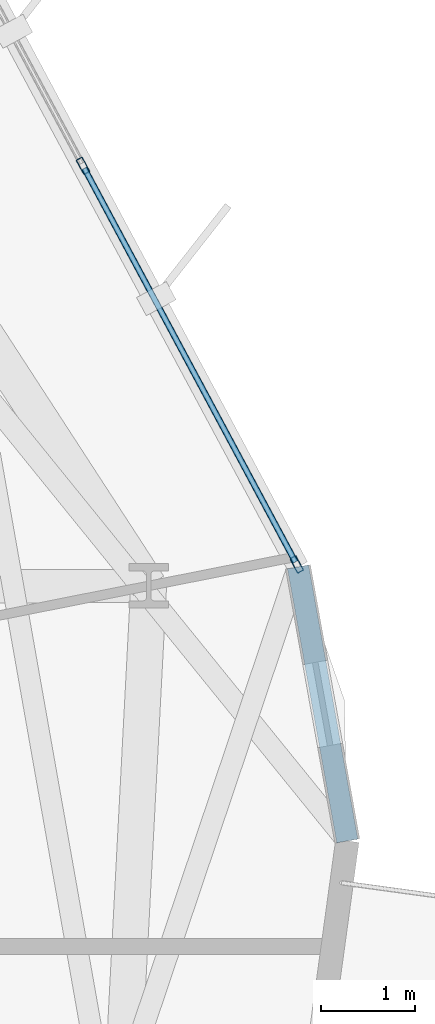
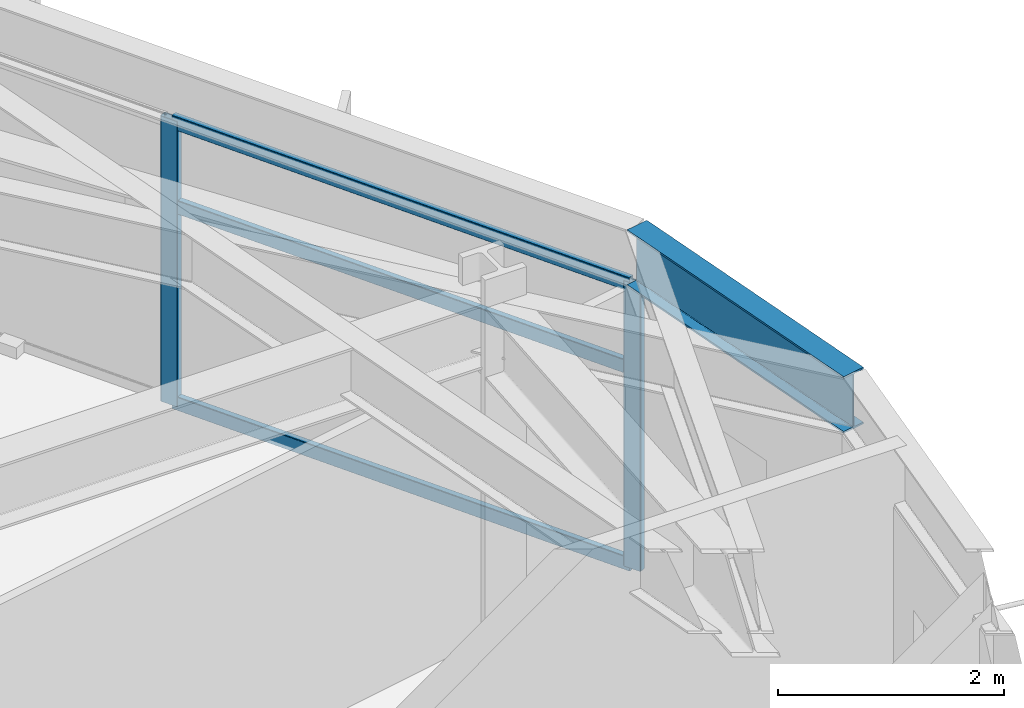
# One storey, part 11 of 22: 5 members, 1 beam, 1 element without a shape of its own.
"""IFC4 building model written with IfcOpenShell, lengths in metres."""

from ifc_helpers import new_model, si_unit, direction, frame, origin, origin_2d, place, context, subcontext, project, spatial, hollow_rectangle, i_section, extrude, material, layer, layer_set, material_profile, profile_set, type_object, element, aggregate, save


model = new_model("IFC4")

# Units and contexts
model_context = context("Model", 3, precision=1e-05, world=origin(), true_north=direction((0.0, 1.0)))
body_context = subcontext(model_context, "Body", "Model", "MODEL_VIEW")
ifc_project = project(units=[si_unit("LENGTHUNIT", "METRE"), si_unit("AREAUNIT", "SQUARE_METRE"), si_unit("VOLUMEUNIT", "CUBIC_METRE"), si_unit("PLANEANGLEUNIT", "RADIAN"), si_unit("MASSUNIT", "GRAM", prefix="KILO")], contexts=[model_context])

# Site, building, storey
site_placement = place(None, origin())
site = spatial("IfcSite", under=ifc_project, at=site_placement, CompositionType="ELEMENT")
building_placement = place(site_placement, origin())
building = spatial("IfcBuilding", under=site, at=building_placement, Name="Soratama Intermodal Tower", CompositionType="ELEMENT")
storey_placement = place(building_placement, frame((0.0, 0.0, 66.60009765625)))
storey = spatial("IfcBuildingStorey", under=building, at=storey_placement, Name="L15", CompositionType="ELEMENT", Elevation=66.60009765625)

# Beam
ifc_material_1 = material(Name="Structural steel ASTM A992 Grade 50", Category="steel")
ifc_material_profile_1 = material_profile(ifc_material_1, i_section(OverallWidth=0.22900390625, OverallDepth=0.612060546875, WebThickness=0.011962890625, FlangeThickness=0.01953125, FilletRadius=0.012939453125, at=origin_2d()), Name="W24X84")
ifc_profile_set_1 = profile_set([ifc_material_profile_1], Name="Structural steel ASTM A992 Grade 50")
beam_type = type_object("IfcBeamType", Name="BM-SPN-W24X84", PredefinedType="SPANDREL", material=ifc_profile_set_1)
beam_placement = place(storey_placement, frame((65.198974609375, 27.126953125, 3.393798828125), z_axis=(-0.176915475646, 0.984226048465, 0.0), x_axis=(-0.984226048465, -0.176915475646, 0.0)))
element("IfcBeam", 1, at=beam_placement, inside=storey, type_object=beam_type, Name="BS-L15-CRN10", PredefinedType="SPANDREL", context=body_context, shape_type="SweptSolid", body=[
    extrude(i_section(OverallWidth=0.22900390625, OverallDepth=0.612060546875, WebThickness=0.011962890625, FlangeThickness=0.01953125, FilletRadius=0.012939453125, at=origin_2d()), origin(), (0.0, 0.0, 1.0), 2.967041015625),
])

# Curtain wall, members
ifc_material_2 = material(Name="Double-glazed aluminium curtain wall", Category="aluminium")
ifc_layer = layer(ifc_material_2, 0.159912109375)
ifc_layer_set = layer_set([ifc_layer], Name="Double-glazed aluminium curtain wall")
curtain_wall_type = type_object("IfcCurtainWallType", Name="CW-SYS-2", PredefinedType="NOTDEFINED", material=ifc_layer_set)
curtain_wall_placement = place(storey_placement, origin())
curtain_wall = element("IfcCurtainWall", 2, at=curtain_wall_placement, inside=storey, type_object=curtain_wall_type, Name="L15 Faceted Curtain Wall F01", PredefinedType="NOTDEFINED")
ifc_material_3 = material(Name="Anodised aluminium AA 6063-T6", Category="aluminium")
ifc_material_profile_2 = material_profile(ifc_material_3, hollow_rectangle(XDim=0.074951171875, YDim=0.179931640625, WallThickness=0.006103515625, InnerFilletRadius=0.006103515625, OuterFilletRadius=0.011962890625, at=origin_2d()), Name="CWM180X75X6")
ifc_profile_set_2 = profile_set([ifc_material_profile_2], Name="Anodised aluminium AA 6063-T6")
member_type_1 = type_object("IfcMemberType", Name="MT-CWM-2", PredefinedType="MULLION", material=ifc_profile_set_2)
member_1_placement = place(storey_placement, frame((64.65966796875, 30.073486328125, 0.0), z_axis=(0.0, 0.0, 1.0), x_axis=(-0.881303777176, -0.47255015854, 0.0)))
member_1 = element("IfcMember", 3, at=member_1_placement, type_object=member_type_1, Name="CW-2 mullion 1", PredefinedType="MULLION", context=body_context, shape_type="SweptSolid", body=[
    extrude(hollow_rectangle(XDim=0.074951171875, YDim=0.179931640625, WallThickness=0.006103515625, InnerFilletRadius=0.006103515625, OuterFilletRadius=0.011962890625, at=origin_2d()), origin(), (0.0, 0.0, 1.0), 3.078857421875),
])
member_2_placement = place(storey_placement, frame((62.382568359375, 34.320556640625, 0.0), z_axis=(0.0, 0.0, 1.0), x_axis=(-0.881303777176, -0.47255015854, 0.0)))
member_2 = element("IfcMember", 4, at=member_2_placement, type_object=member_type_1, Name="CW-2 mullion 2", PredefinedType="MULLION", context=body_context, shape_type="SweptSolid", body=[
    extrude(hollow_rectangle(XDim=0.074951171875, YDim=0.179931640625, WallThickness=0.006103515625, InnerFilletRadius=0.006103515625, OuterFilletRadius=0.011962890625, at=origin_2d()), origin(), (0.0, 0.0, 1.0), 3.078857421875),
])
ifc_material_4 = material(Name="Anodised aluminium AA 6063-T6", Category="aluminium")
ifc_material_profile_3 = material_profile(ifc_material_4, hollow_rectangle(XDim=0.06494140625, YDim=0.14990234375, WallThickness=0.0048828125, InnerFilletRadius=0.0048828125, OuterFilletRadius=0.010009765625, at=origin_2d()), Name="CWT150X65X5")
ifc_profile_set_3 = profile_set([ifc_material_profile_3], Name="Anodised aluminium AA 6063-T6")
member_type_2 = type_object("IfcMemberType", Name="TT-CWT-1", PredefinedType="USERDEFINED", material=ifc_profile_set_3)
member_3_placement = place(storey_placement, frame((64.6455078125, 30.099853515625, 0.02978515625), z_axis=(-0.472538851725, 0.881309839733, 0.0), x_axis=(-0.881309839733, -0.472538851725, 0.0)))
member_3 = element("IfcMember", 5, at=member_3_placement, type_object=member_type_2, Name="CW-2 transom 1.1", ObjectType="TRANSOM", PredefinedType="USERDEFINED", context=body_context, shape_type="SweptSolid", body=[
    extrude(hollow_rectangle(XDim=0.06494140625, YDim=0.14990234375, WallThickness=0.0048828125, InnerFilletRadius=0.0048828125, OuterFilletRadius=0.010009765625, at=origin_2d()), origin(), (0.0, 0.0, 1.0), 4.759033203125),
])
member_4_placement = place(storey_placement, frame((64.6455078125, 30.099853515625, 2.14990234375), z_axis=(-0.472538851725, 0.881309839733, 0.0), x_axis=(-0.881309839733, -0.472538851725, 0.0)))
member_4 = element("IfcMember", 6, at=member_4_placement, type_object=member_type_2, Name="CW-2 transom 1.2", ObjectType="TRANSOM", PredefinedType="USERDEFINED", context=body_context, shape_type="SweptSolid", body=[
    extrude(hollow_rectangle(XDim=0.06494140625, YDim=0.14990234375, WallThickness=0.0048828125, InnerFilletRadius=0.0048828125, OuterFilletRadius=0.010009765625, at=origin_2d()), origin(), (0.0, 0.0, 1.0), 4.759033203125),
])
member_5_placement = place(storey_placement, frame((64.6455078125, 30.099853515625, 3.048828125), z_axis=(-0.472538851725, 0.881309839733, 0.0), x_axis=(-0.881309839733, -0.472538851725, 0.0)))
member_5 = element("IfcMember", 7, at=member_5_placement, type_object=member_type_2, Name="CW-2 transom 1.3", ObjectType="TRANSOM", PredefinedType="USERDEFINED", context=body_context, shape_type="SweptSolid", body=[
    extrude(hollow_rectangle(XDim=0.06494140625, YDim=0.14990234375, WallThickness=0.0048828125, InnerFilletRadius=0.0048828125, OuterFilletRadius=0.010009765625, at=origin_2d()), origin(), (0.0, 0.0, 1.0), 4.759033203125),
])
aggregate(curtain_wall, [member_1, member_2, member_3, member_4, member_5])

save(model, "model.ifc")
